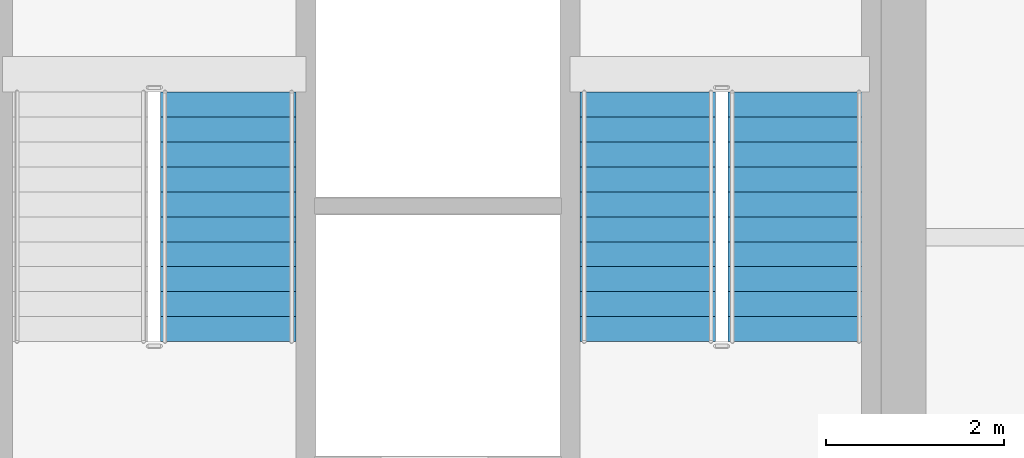
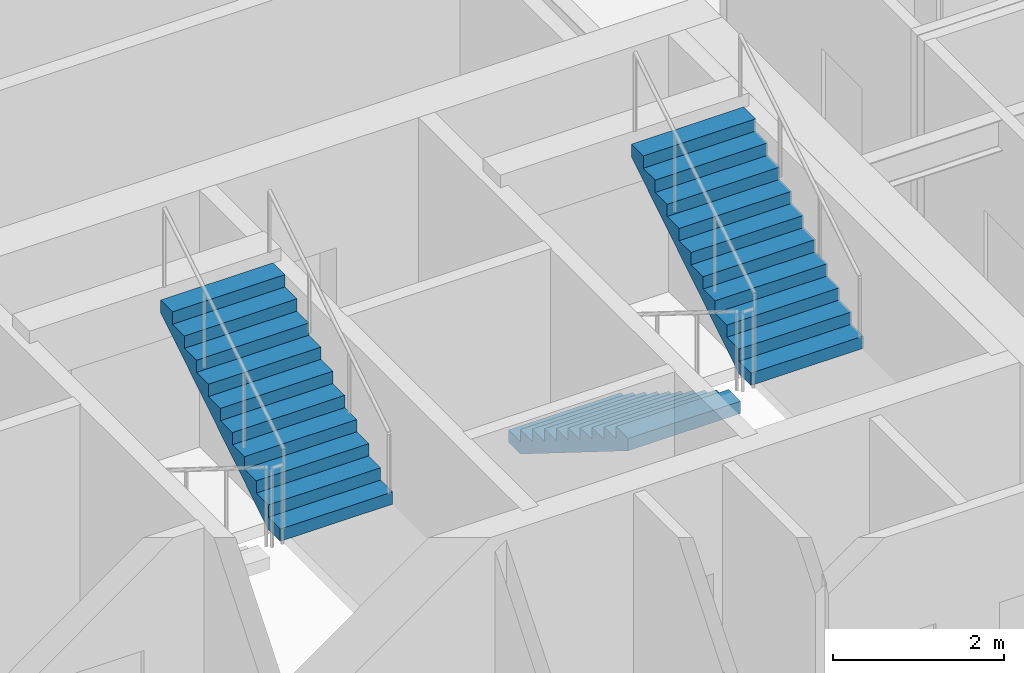
# One storey, part 9 of 11: 3 stair flights, 2 elements without a shape of their own.
"""IFC4 building model written with IfcOpenShell, lengths in metres."""

from ifc_helpers import new_model, si_unit, direction, frame, origin, place, context, subcontext, project, spatial, polyline, outline, extrude, material, type_object, element, aggregate, save


model = new_model("IFC4")

# Units and contexts
model_context = context("Model", 3, precision=1e-05, world=origin(), true_north=direction((0.0, 1.0)))
body_context = subcontext(model_context, "Body", "Model", "MODEL_VIEW")
ifc_project = project(units=[si_unit("LENGTHUNIT", "METRE"), si_unit("AREAUNIT", "SQUARE_METRE"), si_unit("VOLUMEUNIT", "CUBIC_METRE"), si_unit("PLANEANGLEUNIT", "RADIAN"), si_unit("MASSUNIT", "GRAM", prefix="KILO")], contexts=[model_context])

# Site, building, storey
site_placement = place(None, origin())
site = spatial("IfcSite", under=ifc_project, at=site_placement, CompositionType="ELEMENT")
building_placement = place(site_placement, origin())
building = spatial("IfcBuilding", under=site, at=building_placement, Name="Haolan Belvedere Tower", CompositionType="ELEMENT")
storey_placement = place(building_placement, frame((0.0, 0.0, 254.449951171875)))
storey = spatial("IfcBuildingStorey", under=building, at=storey_placement, Name="L64", CompositionType="ELEMENT", Elevation=254.449951171875)

# Stair, stair flight
ifc_material = material(Name="Concrete C40/50", Category="concrete")
stair_type = type_object("IfcStairType", Name="STR-DL-22R-175", PredefinedType="HALF_TURN_STAIR", material=ifc_material)
stair_1_placement = place(storey_placement, origin())
stair_1 = element("IfcStair", 1, at=stair_1_placement, inside=storey, type_object=stair_type, Name="L64 Smokeproof Core Exit Stair ST3", PredefinedType="HALF_TURN_STAIR")
stair_flight_type = type_object("IfcStairFlightType", Name="SFL-DL-11R-175", PredefinedType="STRAIGHT", material=ifc_material)
stair_flight_1_placement = place(storey_placement, frame((39.22998046875, 38.429931640625, 1.925048828125), z_axis=(0.0, 0.0, 1.0), x_axis=(0.0, 1.0, 0.0)))
stair_flight_1 = element("IfcStairFlight", 2, at=stair_flight_1_placement, type_object=stair_flight_type, Name="ST3 flight 2", NumberOfRisers=11, NumberOfTreads=10, PredefinedType="STRAIGHT", RiserHeight=0.175, TreadLength=0.28, context=body_context, shape_type="SweptSolid", body=[
    extrude(outline(polyline([(0.0, 0.0), (0.0, 0.175048828125), (0.280029296875, 0.175048828125), (0.280029296875, 0.35009765625), (0.56005859375, 0.35009765625), (0.56005859375, 0.52490234375), (0.840087890625, 0.52490234375), (0.840087890625, 0.699951171875), (1.1201171875, 0.699951171875), (1.1201171875, 0.875), (1.39990234375, 0.875), (1.39990234375, 1.050048828125), (1.679931640625, 1.050048828125), (1.679931640625, 1.22509765625), (1.9599609375, 1.22509765625), (1.9599609375, 1.39990234375), (2.239990234375, 1.39990234375), (2.239990234375, 1.574951171875), (2.52001953125, 1.574951171875), (2.52001953125, 1.75), (2.800048828125, 1.75), (2.800048828125, 1.925048828125), (2.800048828125, 1.5732421875), (0.28271484375, 0.0), (0.0, 0.0)])), frame((0.0, 0.760009765625, 0.0), z_axis=(0.0, -1.0, 0.0), x_axis=(1.0, 0.0, 0.0)), (0.0, 0.0, 1.0), 1.52001953125),
])
aggregate(stair_1, [stair_flight_1])

# Stair, stair flights
stair_2_placement = place(storey_placement, origin())
stair_2 = element("IfcStair", 3, at=stair_2_placement, inside=storey, type_object=stair_type, Name="L64 Smokeproof Core Exit Stair ST2", PredefinedType="HALF_TURN_STAIR")
stair_flight_2_placement = place(storey_placement, frame((43.929931640625, 41.22998046875, 0.0), z_axis=(0.0, 0.0, 1.0), x_axis=(0.0, -1.0, 0.0)))
stair_flight_2 = element("IfcStairFlight", 4, at=stair_flight_2_placement, type_object=stair_flight_type, Name="ST2 flight 1", NumberOfRisers=11, NumberOfTreads=10, PredefinedType="STRAIGHT", RiserHeight=0.175, TreadLength=0.28, context=body_context, shape_type="SweptSolid", body=[
    extrude(outline(polyline([(0.0, 0.0), (0.0, 0.175048828125), (0.280029296875, 0.175048828125), (0.280029296875, 0.35009765625), (0.56005859375, 0.35009765625), (0.56005859375, 0.52490234375), (0.840087890625, 0.52490234375), (0.840087890625, 0.699951171875), (1.1201171875, 0.699951171875), (1.1201171875, 0.875), (1.39990234375, 0.875), (1.39990234375, 1.050048828125), (1.679931640625, 1.050048828125), (1.679931640625, 1.22509765625), (1.9599609375, 1.22509765625), (1.9599609375, 1.39990234375), (2.239990234375, 1.39990234375), (2.239990234375, 1.574951171875), (2.52001953125, 1.574951171875), (2.52001953125, 1.75), (2.800048828125, 1.75), (2.800048828125, 1.925048828125), (2.800048828125, 1.5732421875), (0.28271484375, 0.0), (0.0, 0.0)])), frame((0.0, 0.760009765625, 0.0), z_axis=(0.0, -1.0, 0.0), x_axis=(1.0, 0.0, 0.0)), (0.0, 0.0, 1.0), 1.52001953125),
])
stair_flight_3_placement = place(storey_placement, frame((45.590087890625, 38.429931640625, 1.925048828125), z_axis=(0.0, 0.0, 1.0), x_axis=(0.0, 1.0, 0.0)))
stair_flight_3 = element("IfcStairFlight", 5, at=stair_flight_3_placement, type_object=stair_flight_type, Name="ST2 flight 2", NumberOfRisers=11, NumberOfTreads=10, PredefinedType="STRAIGHT", RiserHeight=0.175, TreadLength=0.28, context=body_context, shape_type="SweptSolid", body=[
    extrude(outline(polyline([(0.0, 0.0), (0.0, 0.175048828125), (0.280029296875, 0.175048828125), (0.280029296875, 0.35009765625), (0.56005859375, 0.35009765625), (0.56005859375, 0.52490234375), (0.840087890625, 0.52490234375), (0.840087890625, 0.699951171875), (1.1201171875, 0.699951171875), (1.1201171875, 0.875), (1.39990234375, 0.875), (1.39990234375, 1.050048828125), (1.679931640625, 1.050048828125), (1.679931640625, 1.22509765625), (1.9599609375, 1.22509765625), (1.9599609375, 1.39990234375), (2.239990234375, 1.39990234375), (2.239990234375, 1.574951171875), (2.52001953125, 1.574951171875), (2.52001953125, 1.75), (2.800048828125, 1.75), (2.800048828125, 1.925048828125), (2.800048828125, 1.5732421875), (0.28271484375, 0.0), (0.0, 0.0)])), frame((0.0, 0.760009765625, 0.0), z_axis=(0.0, -1.0, 0.0), x_axis=(1.0, 0.0, 0.0)), (0.0, 0.0, 1.0), 1.52001953125),
])
aggregate(stair_2, [stair_flight_2, stair_flight_3])

save(model, "model.ifc")
